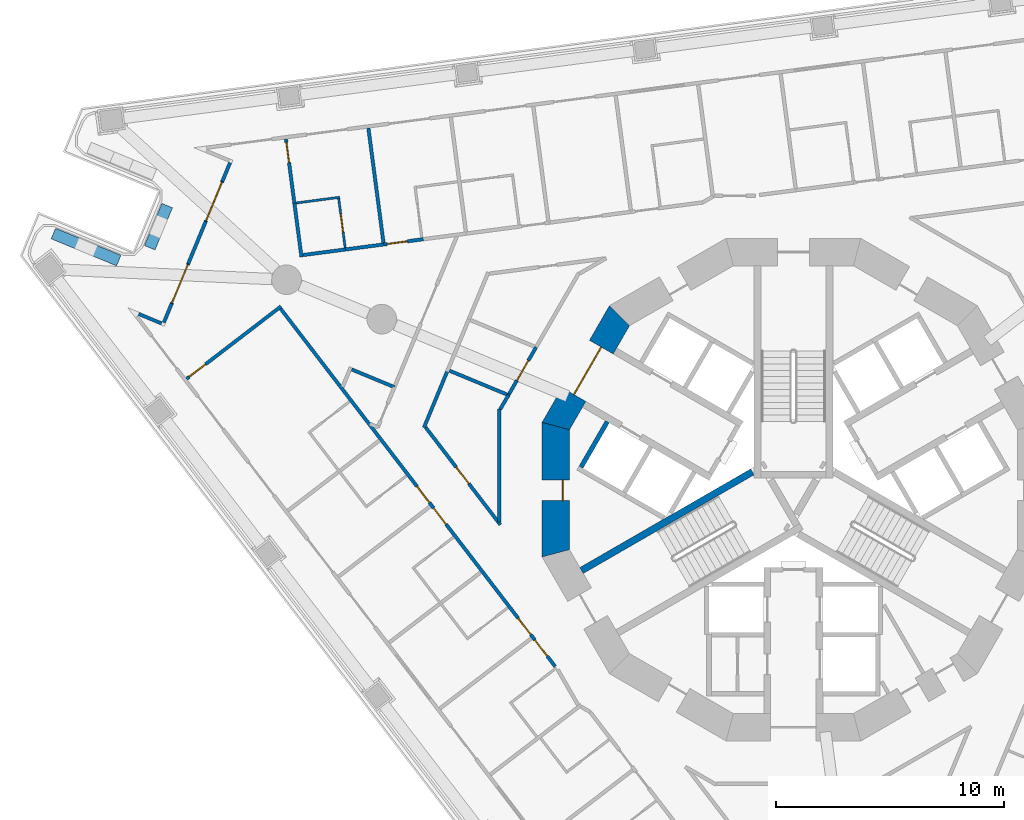
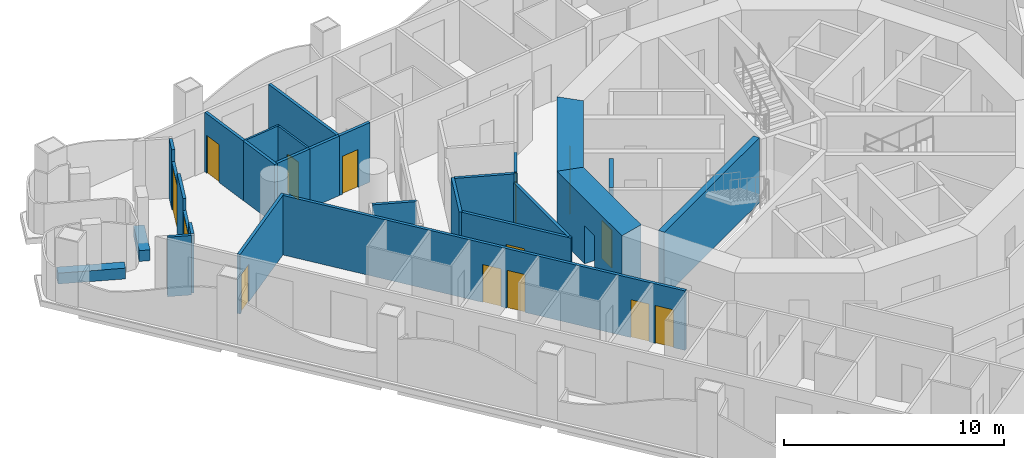
# One storey, part 6 of 19: 29 walls, 14 doors, 14 openings.
"""IFC4 building model written with IfcOpenShell, lengths in metres."""

from ifc_helpers import new_model, si_unit, direction, frame, frame_2d, origin, place, context, subcontext, project, spatial, polyline, rectangle, outline, extrude, material, layer, layer_set, type_object, element, fill, save


model = new_model("IFC4")

# Units and contexts
model_context = context("Model", 3, precision=1e-05, world=origin(), true_north=direction((0.0, 1.0)))
body_context = subcontext(model_context, "Body", "Model", "MODEL_VIEW")
ifc_project = project(units=[si_unit("LENGTHUNIT", "METRE"), si_unit("AREAUNIT", "SQUARE_METRE"), si_unit("VOLUMEUNIT", "CUBIC_METRE"), si_unit("PLANEANGLEUNIT", "RADIAN"), si_unit("MASSUNIT", "GRAM", prefix="KILO")], contexts=[model_context])

# Site, building, storey
site_placement = place(None, origin())
site = spatial("IfcSite", under=ifc_project, at=site_placement, CompositionType="ELEMENT")
building_placement = place(site_placement, origin())
building = spatial("IfcBuilding", under=site, at=building_placement, Name="Trine Commons Tower", CompositionType="ELEMENT")
storey_placement = place(building_placement, frame((0.0, 0.0, 57.60009765625)))
storey = spatial("IfcBuildingStorey", under=building, at=storey_placement, Name="L13", CompositionType="ELEMENT", Elevation=57.60009765625)

# Walls
ifc_material_1 = material(Name="Aluminium-framed insulated wall panel", Category="aluminium")
ifc_layer_1 = layer(ifc_material_1, 0.14990234375)
ifc_layer_set_1 = layer_set([ifc_layer_1], Name="Aluminium-framed insulated wall panel")
wall_type_1 = type_object("IfcWallType", Name="Glazed frame wall 150, EI 60", PredefinedType="SOLIDWALL", material=ifc_layer_set_1)
wall_1_placement = place(storey_placement, frame((51.175537109375, 70.256103515625, 0.0), z_axis=(0.0, 0.0, 1.0), x_axis=(0.923901801611, -0.382629665579, 0.0)))
element("IfcWall", 1, at=wall_1_placement, inside=storey, type_object=wall_type_1, Name="Glazed frame wall R1", PredefinedType="SOLIDWALL", context=body_context, shape_type="SweptSolid", body=[
    extrude(outline(polyline([(0.1494140625, 0.074951171875), (0.1494140625, -0.074951171875), (1.235107421875, -0.074951171875), (1.235107421875, 0.074951171875), (0.1494140625, 0.074951171875)])), origin(), (0.0, 0.0, 1.0), 3.2998046875),
])
wall_2_placement = place(storey_placement, frame((52.372314453125, 69.722412109375, 0.0), z_axis=(0.0, 0.0, 1.0), x_axis=(0.382603377961, 0.923912688068, 0.0)))
element("IfcWall", 2, at=wall_2_placement, inside=storey, type_object=wall_type_1, Name="Glazed frame wall P1.1", PredefinedType="SOLIDWALL", context=body_context, shape_type="SweptSolid", body=[
    extrude(outline(polyline([(0.110107421875, -0.074951171875), (1.0, -0.074951171875), (1.0, 0.074951171875), (0.110107421875, 0.074951171875), (0.110107421875, -0.074951171875)])), origin(), (0.0, 0.0, 1.0), 3.2998046875),
])

# Wall, opening, door
wall_3_placement = place(storey_placement, frame((52.7548828125, 70.646240234375, 0.0), z_axis=(0.0, 0.0, 1.0), x_axis=(0.382771661121, 0.923842982028, 0.0)))
wall_3 = element("IfcWall", 3, at=wall_3_placement, inside=storey, type_object=wall_type_1, Name="Glazed frame wall P1.2", PredefinedType="SOLIDWALL", context=body_context, shape_type="SweptSolid", body=[
    extrude(outline(polyline([(0.0, -0.074951171875), (1.89990234375, -0.074951171875), (1.89990234375, 0.074951171875), (0.0, 0.074951171875), (0.0, -0.074951171875)])), origin(), (0.0, 0.0, 1.0), 2.64990234375),
])
opening_1_placement = place(wall_3_placement, frame((0.050048828125, 0.0, 0.0)))
opening_1 = element("IfcOpeningElement", 4, at=opening_1_placement, cuts=wall_3, Name="Opening BD-2P1-01", PredefinedType="OPENING", context=body_context, shape_type="SweptSolid", body=[
    extrude(rectangle(XDim=1.800048828125, YDim=2.60009765625, at=frame_2d((0.89990234375, 1.300048828125))), frame((0.0, 0.0849609375, 0.0), z_axis=(0.0, -1.0, 0.0), x_axis=(1.0, 0.0, 0.0)), (0.0, 0.0, 1.0), 0.169921875),
])
ifc_material_2 = material(Name="Anodised aluminium frame with double glazing", Category="aluminium")
door_type_1 = type_object("IfcDoorType", Name="Sliding loggia door 1800x2600", OperationType="SLIDING_TO_LEFT", PredefinedType="DOOR", material=ifc_material_2)
door_1_placement = place(opening_1_placement, origin())
door_1 = element("IfcDoor", 5, at=door_1_placement, inside=storey, type_object=door_type_1, Name="Loggia door P1 1", OperationType="SLIDING_TO_LEFT", OverallHeight=2.60009765625, OverallWidth=1.800048828125, PredefinedType="DOOR", context=body_context, shape_type="SweptSolid", body=[
    extrude(rectangle(XDim=1.800048828125, YDim=2.60009765625, at=frame_2d((0.89990234375, 1.300048828125))), frame((0.0, 0.02490234375, 0.0), z_axis=(0.0, -1.0, 0.0), x_axis=(1.0, 0.0, 0.0)), (0.0, 0.0, 1.0), 0.050048828125),
])
fill(opening_1, door_1)

# Wall
wall_4_placement = place(storey_placement, frame((53.482177734375, 72.401611328125, 0.0), z_axis=(0.0, 0.0, 1.0), x_axis=(0.382664423091, 0.923887406181, 0.0)))
element("IfcWall", 6, at=wall_4_placement, inside=storey, type_object=wall_type_1, Name="Glazed frame wall P1.3", PredefinedType="SOLIDWALL", context=body_context, shape_type="SweptSolid", body=[
    extrude(outline(polyline([(0.0, -0.074951171875), (2.0, -0.074951171875), (2.0, 0.074951171875), (0.0, 0.074951171875), (0.0, -0.074951171875)])), origin(), (0.0, 0.0, 1.0), 3.2998046875),
])

# Wall, opening, door
wall_5_placement = place(storey_placement, frame((54.24755859375, 74.24951171875, 0.0), z_axis=(0.0, 0.0, 1.0), x_axis=(0.382661988648, 0.923888414498, 0.0)))
wall_5 = element("IfcWall", 7, at=wall_5_placement, inside=storey, type_object=wall_type_1, Name="Glazed frame wall P1.4", PredefinedType="SOLIDWALL", context=body_context, shape_type="SweptSolid", body=[
    extrude(outline(polyline([(0.0, -0.074951171875), (1.89990234375, -0.074951171875), (1.89990234375, 0.074951171875), (0.0, 0.074951171875), (0.0, -0.074951171875)])), origin(), (0.0, 0.0, 1.0), 2.64990234375),
])
opening_2_placement = place(wall_5_placement, frame((0.050048828125, 0.0, 0.0)))
opening_2 = element("IfcOpeningElement", 8, at=opening_2_placement, cuts=wall_5, Name="Opening BD-2P1-02", PredefinedType="OPENING", context=body_context, shape_type="SweptSolid", body=[
    extrude(rectangle(XDim=1.800048828125, YDim=2.60009765625, at=frame_2d((0.89990234375, 1.300048828125))), frame((0.0, 0.0849609375, 0.0), z_axis=(0.0, -1.0, 0.0), x_axis=(1.0, 0.0, 0.0)), (0.0, 0.0, 1.0), 0.169921875),
])
door_2_placement = place(opening_2_placement, origin())
door_2 = element("IfcDoor", 9, at=door_2_placement, inside=storey, type_object=door_type_1, Name="Loggia door P1 2", OperationType="SLIDING_TO_LEFT", OverallHeight=2.60009765625, OverallWidth=1.800048828125, PredefinedType="DOOR", context=body_context, shape_type="SweptSolid", body=[
    extrude(rectangle(XDim=1.800048828125, YDim=2.60009765625, at=frame_2d((0.89990234375, 1.300048828125))), frame((0.0, 0.02490234375, 0.0), z_axis=(0.0, -1.0, 0.0), x_axis=(1.0, 0.0, 0.0)), (0.0, 0.0, 1.0), 0.050048828125),
])
fill(opening_2, door_2)

# Walls
wall_6_placement = place(storey_placement, frame((54.974609375, 76.0048828125, 0.0), z_axis=(0.0, 0.0, 1.0), x_axis=(0.382811769845, 0.923826362943, 0.0)))
element("IfcWall", 10, at=wall_6_placement, inside=storey, type_object=wall_type_1, Name="Glazed frame wall P1.5", PredefinedType="SOLIDWALL", context=body_context, shape_type="SweptSolid", body=[
    extrude(outline(polyline([(0.889892578125, 0.074951171875), (0.0, 0.074951171875), (0.0, -0.074951171875), (0.889892578125, -0.074951171875), (0.889892578125, 0.074951171875)])), origin(), (0.0, 0.0, 1.0), 3.2998046875),
])
ifc_material_3 = material(Name="Planter trough, precast concrete C40/50", Category="concrete")
ifc_layer_2 = layer(ifc_material_3, 0.5)
ifc_layer_set_2 = layer_set([ifc_layer_2], Name="Planter trough, precast concrete C40/50")
wall_type_2 = type_object("IfcWallType", Name="Planter trough 500x600", PredefinedType="PARAPET", material=ifc_layer_set_2)
wall_7_placement = place(storey_placement, frame((47.5732421875, 73.723388671875, 0.0), z_axis=(0.0, 0.0, 1.0), x_axis=(0.923883411188, -0.382674068277, 0.0)))
element("IfcWall", 11, at=wall_7_placement, inside=storey, type_object=wall_type_2, Name="Planter 1", PredefinedType="PARAPET", context=body_context, shape_type="SweptSolid", body=[
    extrude(rectangle(XDim=3.099853515625, YDim=0.5, at=frame_2d((1.5498046875, 0.0))), origin(), (0.0, 0.0, 1.0), 0.599853515625),
])
wall_8_placement = place(storey_placement, frame((51.796142578125, 73.10009765625, 0.0), z_axis=(0.0, 0.0, 1.0), x_axis=(0.382603377961, 0.923912688068, 0.0)))
element("IfcWall", 12, at=wall_8_placement, inside=storey, type_object=wall_type_2, Name="Planter 2", PredefinedType="PARAPET", context=body_context, shape_type="SweptSolid", body=[
    extrude(rectangle(XDim=1.999755859375, YDim=0.5, at=frame_2d((1.0, 0.0))), origin(), (0.0, 0.0, 1.0), 0.599853515625),
])

# Wall, opening, door
ifc_material_4 = material(Name="Concrete C80/95", Category="concrete")
ifc_layer_3 = layer(ifc_material_4, 1.199951171875)
ifc_layer_set_3 = layer_set([ifc_layer_3], Name="Concrete C80/95")
wall_type_3 = type_object("IfcWallType", Name="RC shear wall 1200 mm, C80/95", PredefinedType="SHEAR", material=ifc_layer_set_3)
wall_9_placement = place(storey_placement, frame((72.45849609375, 70.260986328125, 0.0), z_axis=(0.0, 0.0, 1.0), x_axis=(-0.499979111662, -0.866037463336, 0.0)))
wall_9 = element("IfcWall", 13, at=wall_9_placement, inside=storey, type_object=wall_type_3, Name="Core wall CWB-06 L13", PredefinedType="SHEAR", context=body_context, shape_type="SweptSolid", body=[
    extrude(outline(polyline([(0.0, -0.60009765625), (5.901123046875, -0.60009765625), (5.57958984375, 0.60009765625), (0.321533203125, 0.60009765625), (0.0, -0.60009765625)])), origin(), (0.0, 0.0, 1.0), 3.599853515625),
])
opening_3_placement = place(wall_9_placement, frame((1.75048828125, 0.0, 0.0)))
opening_3 = element("IfcOpeningElement", 14, at=opening_3_placement, cuts=wall_9, Name="Opening K04.06", PredefinedType="OPENING", context=body_context, shape_type="SweptSolid", body=[
    extrude(rectangle(XDim=2.39990234375, YDim=2.10009765625, at=frame_2d((1.199951171875, 1.050048828125))), frame((0.0, 0.60986328125, 0.0), z_axis=(0.0, -1.0, 0.0), x_axis=(1.0, 0.0, 0.0)), (0.0, 0.0, 1.0), 1.219970703125),
])
ifc_material_5 = material(Name="Steel door leaves, fire-rated", Category="steel")
door_type_2 = type_object("IfcDoorType", Name="Lobby door, double leaf 2400 x 2100, FD60", OperationType="DOUBLE_DOOR_SINGLE_SWING", PredefinedType="DOOR", material=ifc_material_5)
door_3_placement = place(opening_3_placement, origin())
door_3 = element("IfcDoor", 15, at=door_3_placement, inside=storey, type_object=door_type_2, Name="Lobby door, Passenger lift lobby B L13", OperationType="DOUBLE_DOOR_SINGLE_SWING", OverallHeight=2.10009765625, OverallWidth=2.39990234375, PredefinedType="DOOR", context=body_context, shape_type="SweptSolid", body=[
    extrude(rectangle(XDim=2.39990234375, YDim=2.10009765625, at=frame_2d((1.199951171875, 1.050048828125))), frame((0.0, 0.02490234375, 0.0), z_axis=(0.0, -1.0, 0.0), x_axis=(1.0, 0.0, 0.0)), (0.0, 0.0, 1.0), 0.050048828125),
])
fill(opening_3, door_3)

wall_10_placement = place(storey_placement, frame((69.58837890625, 65.450439453125, 0.0), z_axis=(0.0, 0.0, 1.0), x_axis=(0.0, -1.0, 0.0)))
wall_10 = element("IfcWall", 16, at=wall_10_placement, inside=storey, type_object=wall_type_3, Name="Core wall CWB-07 L13", PredefinedType="SHEAR", context=body_context, shape_type="SweptSolid", body=[
    extrude(outline(polyline([(0.0, -0.60009765625), (5.90087890625, -0.60009765625), (5.57958984375, 0.60009765625), (0.321533203125, 0.60009765625), (0.0, -0.60009765625)])), origin(), (0.0, 0.0, 1.0), 3.599853515625),
])
opening_4_placement = place(wall_10_placement, frame((2.525390625, 0.0, 0.0)))
opening_4 = element("IfcOpeningElement", 17, at=opening_4_placement, cuts=wall_10, Name="Opening K04.14", PredefinedType="OPENING", context=body_context, shape_type="SweptSolid", body=[
    extrude(rectangle(XDim=0.89990234375, YDim=2.10009765625, at=frame_2d((0.449951171875, 1.050048828125))), frame((0.0, 0.60986328125, 0.0), z_axis=(0.0, -1.0, 0.0), x_axis=(1.0, 0.0, 0.0)), (0.0, 0.0, 1.0), 1.219970703125),
])
ifc_material_6 = material(Name="Steel door leaf, fire-rated", Category="steel")
door_type_3 = type_object("IfcDoorType", Name="Core room door, single leaf 900 x 2100, FD30S", OperationType="SINGLE_SWING_LEFT", PredefinedType="DOOR", material=ifc_material_6)
door_4_placement = place(opening_4_placement, origin())
door_4 = element("IfcDoor", 18, at=door_4_placement, inside=storey, type_object=door_type_3, Name="Door to Print room L13", OperationType="SINGLE_SWING_RIGHT", OverallHeight=2.10009765625, OverallWidth=0.89990234375, PredefinedType="DOOR", context=body_context, shape_type="SweptSolid", body=[
    extrude(rectangle(XDim=0.89990234375, YDim=2.10009765625, at=frame_2d((0.449951171875, 1.050048828125))), frame((0.0, 0.3251953125, 0.0), z_axis=(0.0, -1.0, 0.0), x_axis=(1.0, 0.0, 0.0)), (0.0, 0.0, 1.0), 0.050048828125),
])
fill(opening_4, door_4)

# Walls
ifc_layer_4 = layer(ifc_material_4, 0.300048828125)
ifc_layer_set_4 = layer_set([ifc_layer_4], Name="Concrete C80/95")
wall_type_4 = type_object("IfcWallType", Name="RC shear wall 300 mm, C80/95", PredefinedType="SHEAR", material=ifc_layer_set_4)
wall_11_placement = place(storey_placement, frame((78.199951171875, 63.280029296875, 0.0), z_axis=(0.0, 0.0, 1.0), x_axis=(-0.865965399159, -0.500103916661, 0.0)))
element("IfcWall", 19, at=wall_11_placement, inside=storey, type_object=wall_type_4, Name="Core cross wall SWA-07 L13", PredefinedType="SHEAR", context=body_context, shape_type="SweptSolid", body=[
    extrude(rectangle(XDim=8.642333984375, YDim=0.300048828125, at=frame_2d((4.3212890625, 0.0))), origin(), (0.0, 0.0, 1.0), 3.599853515625),
])
ifc_material_7 = material(Name="Fire-rated gypsum shaft wall system")
ifc_layer_5 = layer(ifc_material_7, 0.199951171875)
ifc_layer_set_5 = layer_set([ifc_layer_5], Name="Fire-rated gypsum shaft wall system")
wall_type_5 = type_object("IfcWallType", Name="Shaft wall 200 mm, EI 120", PredefinedType="PARTITIONING", material=ifc_layer_set_5)
wall_12_placement = place(storey_placement, frame((71.844970703125, 65.47607421875, 0.0), z_axis=(0.0, 0.0, 1.0), x_axis=(-0.500136062276, -0.86594683394, 0.0)))
element("IfcWall", 20, at=wall_12_placement, inside=storey, type_object=wall_type_5, Name="Shaft wall L13", PredefinedType="PARTITIONING", context=body_context, shape_type="SweptSolid", body=[
    extrude(rectangle(XDim=2.299072265625, YDim=0.199951171875, at=frame_2d((1.1494140625, 0.0))), origin(), (0.0, 0.0, 1.0), 3.2998046875),
])

# Wall, opening, door
ifc_material_8 = material(Name="Gypsum plasterboard on steel stud", Category="steel")
ifc_layer_6 = layer(ifc_material_8, 0.14990234375)
ifc_layer_set_6 = layer_set([ifc_layer_6], Name="Gypsum plasterboard on steel stud")
wall_type_6 = type_object("IfcWallType", Name="Unit and corridor wall 150 mm, EI 60", PredefinedType="PARTITIONING", material=ifc_layer_set_6)
wall_13_placement = place(storey_placement, frame((53.41162109375, 67.3583984375, 0.0), z_axis=(0.0, 0.0, 1.0), x_axis=(0.793382437727, 0.608723506616, 0.0)))
wall_13 = element("IfcWall", 21, at=wall_13_placement, inside=storey, type_object=wall_type_6, Name="Partition 001", PredefinedType="PARTITIONING", context=body_context, shape_type="SweptSolid", body=[
    extrude(rectangle(XDim=5.213134765625, YDim=0.14990234375, at=frame_2d((2.6064453125, 0.0))), origin(), (0.0, 0.0, 1.0), 3.2998046875),
])
opening_5_placement = place(wall_13_placement, frame((0.14990234375, 0.0, 0.0)))
opening_5 = element("IfcOpeningElement", 22, at=opening_5_placement, cuts=wall_13, Name="Opening D-2A35", PredefinedType="OPENING", context=body_context, shape_type="SweptSolid", body=[
    extrude(rectangle(XDim=0.89990234375, YDim=2.10009765625, at=frame_2d((0.449951171875, 1.050048828125))), frame((0.0, 0.0849609375, 0.0), z_axis=(0.0, -1.0, 0.0), x_axis=(1.0, 0.0, 0.0)), (0.0, 0.0, 1.0), 0.169921875),
])
ifc_material_9 = material(Name="Timber fire door set", Category="wood")
door_type_4 = type_object("IfcDoorType", Name="Bedroom door 900 x 2100, FD30S", OperationType="NOTDEFINED", PredefinedType="DOOR", material=ifc_material_9)
door_5_placement = place(opening_5_placement, frame((0.89990234375, 0.0, 0.0), z_axis=(0.0, 0.0, 1.0), x_axis=(-1.0, 0.0, 0.0)))
door_5 = element("IfcDoor", 23, at=door_5_placement, inside=storey, type_object=door_type_4, Name="Door D-2A35", OperationType="SINGLE_SWING_RIGHT", OverallHeight=2.10009765625, OverallWidth=0.89990234375, PredefinedType="DOOR", context=body_context, shape_type="SweptSolid", body=[
    extrude(rectangle(XDim=0.89990234375, YDim=2.10009765625, at=frame_2d((0.449951171875, 1.050048828125))), frame((0.0, 0.02490234375, 0.0), z_axis=(0.0, -1.0, 0.0), x_axis=(1.0, 0.0, 0.0)), (0.0, 0.0, 1.0), 0.050048828125),
])
fill(opening_5, door_5)

# Wall, openings, doors
wall_14_placement = place(storey_placement, frame((57.53369140625, 70.426513671875, 0.0), z_axis=(0.0, 0.0, 1.0), x_axis=(0.608794371867, -0.793328061261, 0.0)))
wall_14 = element("IfcWall", 24, at=wall_14_placement, inside=storey, type_object=wall_type_6, Name="Partition 002", PredefinedType="PARTITIONING", context=body_context, shape_type="SweptSolid", body=[
    extrude(rectangle(XDim=19.75927734375, YDim=0.14990234375, at=frame_2d((9.879638671875, 0.0))), origin(), (0.0, 0.0, 1.0), 3.2998046875),
])
opening_6_placement = place(wall_14_placement, frame((18.293212890625, 0.0, 0.0)))
opening_6 = element("IfcOpeningElement", 25, at=opening_6_placement, cuts=wall_14, Name="Opening D-2A31", PredefinedType="OPENING", context=body_context, shape_type="SweptSolid", body=[
    extrude(rectangle(XDim=0.89990234375, YDim=2.10009765625, at=frame_2d((0.449951171875, 1.050048828125))), frame((0.0, 0.0849609375, 0.0), z_axis=(0.0, -1.0, 0.0), x_axis=(1.0, 0.0, 0.0)), (0.0, 0.0, 1.0), 0.169921875),
])
opening_7_placement = place(wall_14_placement, frame((17.093017578125, 0.0, 0.0)))
opening_7 = element("IfcOpeningElement", 26, at=opening_7_placement, cuts=wall_14, Name="Opening D-2A32", PredefinedType="OPENING", context=body_context, shape_type="SweptSolid", body=[
    extrude(rectangle(XDim=0.89990234375, YDim=2.10009765625, at=frame_2d((0.449951171875, 1.050048828125))), frame((0.0, 0.0849609375, 0.0), z_axis=(0.0, -1.0, 0.0), x_axis=(1.0, 0.0, 0.0)), (0.0, 0.0, 1.0), 0.169921875),
])
opening_8_placement = place(wall_14_placement, frame((11.00634765625, 0.0, 0.0)))
opening_8 = element("IfcOpeningElement", 27, at=opening_8_placement, cuts=wall_14, Name="Opening D-2A33", PredefinedType="OPENING", context=body_context, shape_type="SweptSolid", body=[
    extrude(rectangle(XDim=0.89990234375, YDim=2.10009765625, at=frame_2d((0.449951171875, 1.050048828125))), frame((0.0, 0.0849609375, 0.0), z_axis=(0.0, -1.0, 0.0), x_axis=(1.0, 0.0, 0.0)), (0.0, 0.0, 1.0), 0.169921875),
])
opening_9_placement = place(wall_14_placement, frame((9.806396484375, 0.0, 0.0)))
opening_9 = element("IfcOpeningElement", 28, at=opening_9_placement, cuts=wall_14, Name="Opening D-2A34", PredefinedType="OPENING", context=body_context, shape_type="SweptSolid", body=[
    extrude(rectangle(XDim=0.89990234375, YDim=2.10009765625, at=frame_2d((0.449951171875, 1.050048828125))), frame((0.0, 0.0849609375, 0.0), z_axis=(0.0, -1.0, 0.0), x_axis=(1.0, 0.0, 0.0)), (0.0, 0.0, 1.0), 0.169921875),
])
door_6_placement = place(opening_6_placement, frame((0.89990234375, 0.0, 0.0), z_axis=(0.0, 0.0, 1.0), x_axis=(-1.0, 0.0, 0.0)))
door_6 = element("IfcDoor", 29, at=door_6_placement, inside=storey, type_object=door_type_4, Name="Door D-2A31", OperationType="SINGLE_SWING_LEFT", OverallHeight=2.10009765625, OverallWidth=0.89990234375, PredefinedType="DOOR", context=body_context, shape_type="SweptSolid", body=[
    extrude(rectangle(XDim=0.89990234375, YDim=2.10009765625, at=frame_2d((0.449951171875, 1.050048828125))), frame((0.0, 0.02490234375, 0.0), z_axis=(0.0, -1.0, 0.0), x_axis=(1.0, 0.0, 0.0)), (0.0, 0.0, 1.0), 0.050048828125),
])
fill(opening_6, door_6)
door_7_placement = place(opening_7_placement, frame((0.89990234375, 0.0, 0.0), z_axis=(0.0, 0.0, 1.0), x_axis=(-1.0, 0.0, 0.0)))
door_7 = element("IfcDoor", 30, at=door_7_placement, inside=storey, type_object=door_type_4, Name="Door D-2A32", OperationType="SINGLE_SWING_LEFT", OverallHeight=2.10009765625, OverallWidth=0.89990234375, PredefinedType="DOOR", context=body_context, shape_type="SweptSolid", body=[
    extrude(rectangle(XDim=0.89990234375, YDim=2.10009765625, at=frame_2d((0.449951171875, 1.050048828125))), frame((0.0, 0.02490234375, 0.0), z_axis=(0.0, -1.0, 0.0), x_axis=(1.0, 0.0, 0.0)), (0.0, 0.0, 1.0), 0.050048828125),
])
fill(opening_7, door_7)
door_8_placement = place(opening_8_placement, frame((0.89990234375, 0.0, 0.0), z_axis=(0.0, 0.0, 1.0), x_axis=(-1.0, 0.0, 0.0)))
door_8 = element("IfcDoor", 31, at=door_8_placement, inside=storey, type_object=door_type_4, Name="Door D-2A33", OperationType="SINGLE_SWING_LEFT", OverallHeight=2.10009765625, OverallWidth=0.89990234375, PredefinedType="DOOR", context=body_context, shape_type="SweptSolid", body=[
    extrude(rectangle(XDim=0.89990234375, YDim=2.10009765625, at=frame_2d((0.449951171875, 1.050048828125))), frame((0.0, 0.02490234375, 0.0), z_axis=(0.0, -1.0, 0.0), x_axis=(1.0, 0.0, 0.0)), (0.0, 0.0, 1.0), 0.050048828125),
])
fill(opening_8, door_8)
door_9_placement = place(opening_9_placement, frame((0.89990234375, 0.0, 0.0), z_axis=(0.0, 0.0, 1.0), x_axis=(-1.0, 0.0, 0.0)))
door_9 = element("IfcDoor", 32, at=door_9_placement, inside=storey, type_object=door_type_4, Name="Door D-2A34", OperationType="SINGLE_SWING_LEFT", OverallHeight=2.10009765625, OverallWidth=0.89990234375, PredefinedType="DOOR", context=body_context, shape_type="SweptSolid", body=[
    extrude(rectangle(XDim=0.89990234375, YDim=2.10009765625, at=frame_2d((0.449951171875, 1.050048828125))), frame((0.0, 0.02490234375, 0.0), z_axis=(0.0, -1.0, 0.0), x_axis=(1.0, 0.0, 0.0)), (0.0, 0.0, 1.0), 0.050048828125),
])
fill(opening_9, door_9)

# Wall, opening, door
wall_15_placement = place(storey_placement, frame((57.76416015625, 77.8662109375, 0.0), z_axis=(0.0, 0.0, 1.0), x_axis=(0.130439234834, -0.991456305651, 0.0)))
wall_15 = element("IfcWall", 33, at=wall_15_placement, inside=storey, type_object=wall_type_6, Name="Partition 003", PredefinedType="PARTITIONING", context=body_context, shape_type="SweptSolid", body=[
    extrude(rectangle(XDim=2.8935546875, YDim=0.14990234375, at=frame_2d((1.44677734375, 0.0))), origin(), (0.0, 0.0, 1.0), 3.2998046875),
])
opening_10_placement = place(wall_15_placement, frame((0.14990234375, 0.0, 0.0)))
opening_10 = element("IfcOpeningElement", 34, at=opening_10_placement, cuts=wall_15, Name="Opening D-2A07", PredefinedType="OPENING", context=body_context, shape_type="SweptSolid", body=[
    extrude(rectangle(XDim=0.89990234375, YDim=2.10009765625, at=frame_2d((0.449951171875, 1.050048828125))), frame((0.0, 0.0849609375, 0.0), z_axis=(0.0, -1.0, 0.0), x_axis=(1.0, 0.0, 0.0)), (0.0, 0.0, 1.0), 0.169921875),
])
door_10_placement = place(opening_10_placement, origin())
door_10 = element("IfcDoor", 35, at=door_10_placement, inside=storey, type_object=door_type_4, Name="Door D-2A07", OperationType="SINGLE_SWING_LEFT", OverallHeight=2.10009765625, OverallWidth=0.89990234375, PredefinedType="DOOR", context=body_context, shape_type="SweptSolid", body=[
    extrude(rectangle(XDim=0.89990234375, YDim=2.10009765625, at=frame_2d((0.449951171875, 1.050048828125))), frame((0.0, 0.02490234375, 0.0), z_axis=(0.0, -1.0, 0.0), x_axis=(1.0, 0.0, 0.0)), (0.0, 0.0, 1.0), 0.050048828125),
])
fill(opening_10, door_10)

# Walls
wall_16_placement = place(storey_placement, frame((58.134033203125, 75.054931640625, 0.0), z_axis=(0.0, 0.0, 1.0), x_axis=(0.130650971648, -0.991428425862, 0.0)))
element("IfcWall", 36, at=wall_16_placement, inside=storey, type_object=wall_type_6, Name="Partition 005", PredefinedType="PARTITIONING", context=body_context, shape_type="SweptSolid", body=[
    extrude(rectangle(XDim=2.37890625, YDim=0.14990234375, at=frame_2d((1.189453125, 0.0))), origin(), (0.0, 0.0, 1.0), 3.2998046875),
])
wall_17_placement = place(storey_placement, frame((58.509521484375, 72.78076171875, 0.0), z_axis=(0.0, 0.0, 1.0), x_axis=(0.991460041982, 0.130410832196, 0.0)))
element("IfcWall", 37, at=wall_17_placement, inside=storey, type_object=wall_type_6, Name="Partition 007", PredefinedType="PARTITIONING", context=body_context, shape_type="SweptSolid", body=[
    extrude(rectangle(XDim=1.879638671875, YDim=0.14990234375, at=frame_2d((0.93994140625, 0.0))), origin(), (0.0, 0.0, 1.0), 3.2998046875),
])
wall_18_placement = place(storey_placement, frame((60.364990234375, 73.02490234375, 0.0), z_axis=(0.0, 0.0, 1.0), x_axis=(0.991474842511, 0.130298260417, 0.0)))
element("IfcWall", 38, at=wall_18_placement, inside=storey, type_object=wall_type_6, Name="Partition 014", PredefinedType="PARTITIONING", context=body_context, shape_type="SweptSolid", body=[
    extrude(rectangle(XDim=1.697509765625, YDim=0.14990234375, at=frame_2d((0.8486328125, 0.0))), origin(), (0.0, 0.0, 1.0), 3.2998046875),
])
wall_19_placement = place(storey_placement, frame((60.645263671875, 67.768310546875, 0.0), z_axis=(0.0, 0.0, 1.0), x_axis=(0.923799320148, -0.382877024767, 0.0)))
element("IfcWall", 39, at=wall_19_placement, inside=storey, type_object=wall_type_6, Name="Partition 015", PredefinedType="PARTITIONING", context=body_context, shape_type="SweptSolid", body=[
    extrude(rectangle(XDim=2.025146484375, YDim=0.14990234375, at=frame_2d((1.0126953125, 0.0))), origin(), (0.0, 0.0, 1.0), 3.2998046875),
])
wall_20_placement = place(storey_placement, frame((61.377197265625, 78.34130859375, 0.0), z_axis=(0.0, 0.0, 1.0), x_axis=(0.130499406053, -0.991448387471, 0.0)))
element("IfcWall", 40, at=wall_20_placement, inside=storey, type_object=wall_type_6, Name="Partition 017", PredefinedType="PARTITIONING", context=body_context, shape_type="SweptSolid", body=[
    extrude(rectangle(XDim=5.064208984375, YDim=0.14990234375, at=frame_2d((2.5322265625, 0.0))), origin(), (0.0, 0.0, 1.0), 3.2998046875),
])

# Wall, opening, door
wall_21_placement = place(storey_placement, frame((62.048095703125, 73.24609375, 0.0), z_axis=(0.0, 0.0, 1.0), x_axis=(0.991412396829, 0.130772548398, 0.0)))
wall_21 = element("IfcWall", 41, at=wall_21_placement, inside=storey, type_object=wall_type_6, Name="Partition 020", PredefinedType="PARTITIONING", context=body_context, shape_type="SweptSolid", body=[
    extrude(rectangle(XDim=1.747314453125, YDim=0.14990234375, at=frame_2d((0.87353515625, 0.0))), origin(), (0.0, 0.0, 1.0), 3.2998046875),
])
opening_11_placement = place(wall_21_placement, frame((0.14990234375, 0.0, 0.0)))
opening_11 = element("IfcOpeningElement", 42, at=opening_11_placement, cuts=wall_21, Name="Opening D-2A08", PredefinedType="OPENING", context=body_context, shape_type="SweptSolid", body=[
    extrude(rectangle(XDim=0.89990234375, YDim=2.10009765625, at=frame_2d((0.449951171875, 1.050048828125))), frame((0.0, 0.0849609375, 0.0), z_axis=(0.0, -1.0, 0.0), x_axis=(1.0, 0.0, 0.0)), (0.0, 0.0, 1.0), 0.169921875),
])
door_11_placement = place(opening_11_placement, origin())
door_11 = element("IfcDoor", 43, at=door_11_placement, inside=storey, type_object=door_type_4, Name="Door D-2A08", OperationType="SINGLE_SWING_LEFT", OverallHeight=2.10009765625, OverallWidth=0.89990234375, PredefinedType="DOOR", context=body_context, shape_type="SweptSolid", body=[
    extrude(rectangle(XDim=0.89990234375, YDim=2.10009765625, at=frame_2d((0.449951171875, 1.050048828125))), frame((0.0, 0.02490234375, 0.0), z_axis=(0.0, -1.0, 0.0), x_axis=(1.0, 0.0, 0.0)), (0.0, 0.0, 1.0), 0.050048828125),
])
fill(opening_11, door_11)

# Wall
wall_22_placement = place(storey_placement, frame((63.811279296875, 65.2197265625, 0.0), z_axis=(0.0, 0.0, 1.0), x_axis=(0.382485754441, 0.923961388614, 0.0)))
element("IfcWall", 44, at=wall_22_placement, inside=storey, type_object=wall_type_6, Name="Partition 028", PredefinedType="PARTITIONING", context=body_context, shape_type="SweptSolid", body=[
    extrude(rectangle(XDim=2.736328125, YDim=0.14990234375, at=frame_2d((1.3681640625, 0.0))), origin(), (0.0, 0.0, 1.0), 3.2998046875),
])

# Wall, opening, door
wall_23_placement = place(storey_placement, frame((63.8857421875, 65.2294921875, 0.0), z_axis=(0.0, 0.0, 1.0), x_axis=(0.608696503356, -0.793403155276, 0.0)))
wall_23 = element("IfcWall", 45, at=wall_23_placement, inside=storey, type_object=wall_type_6, Name="Partition 029", PredefinedType="PARTITIONING", context=body_context, shape_type="SweptSolid", body=[
    extrude(rectangle(XDim=5.376953125, YDim=0.14990234375, at=frame_2d((2.6884765625, 0.0))), origin(), (0.0, 0.0, 1.0), 3.2998046875),
])
opening_12_placement = place(wall_23_placement, frame((2.200927734375, 0.0, 0.0)))
opening_12 = element("IfcOpeningElement", 46, at=opening_12_placement, cuts=wall_23, Name="Opening D-2A38", PredefinedType="OPENING", context=body_context, shape_type="SweptSolid", body=[
    extrude(rectangle(XDim=0.89990234375, YDim=2.10009765625, at=frame_2d((0.449951171875, 1.050048828125))), frame((0.0, 0.0849609375, 0.0), z_axis=(0.0, -1.0, 0.0), x_axis=(1.0, 0.0, 0.0)), (0.0, 0.0, 1.0), 0.169921875),
])
door_type_5 = type_object("IfcDoorType", Name="Service door 900 x 2100, FD30S", OperationType="NOTDEFINED", PredefinedType="DOOR", material=ifc_material_9)
door_12_placement = place(opening_12_placement, origin())
door_12 = element("IfcDoor", 47, at=door_12_placement, inside=storey, type_object=door_type_5, Name="Door D-2A38", OperationType="SINGLE_SWING_LEFT", OverallHeight=2.10009765625, OverallWidth=0.89990234375, PredefinedType="DOOR", context=body_context, shape_type="SweptSolid", body=[
    extrude(rectangle(XDim=0.89990234375, YDim=2.10009765625, at=frame_2d((0.449951171875, 1.050048828125))), frame((0.0, 0.02490234375, 0.0), z_axis=(0.0, -1.0, 0.0), x_axis=(1.0, 0.0, 0.0)), (0.0, 0.0, 1.0), 0.050048828125),
])
fill(opening_12, door_12)

# Walls
wall_24_placement = place(storey_placement, frame((64.92626953125, 67.71533203125, 0.0), z_axis=(0.0, 0.0, 1.0), x_axis=(0.923886418472, -0.382666807761, 0.0)))
element("IfcWall", 48, at=wall_24_placement, inside=storey, type_object=wall_type_6, Name="Partition 034", PredefinedType="PARTITIONING", context=body_context, shape_type="SweptSolid", body=[
    extrude(rectangle(XDim=2.874755859375, YDim=0.14990234375, at=frame_2d((1.4375, 0.0))), origin(), (0.0, 0.0, 1.0), 3.2998046875),
])
wall_25_placement = place(storey_placement, frame((67.113037109375, 61.093994140625, 0.0), z_axis=(0.0, 0.0, 1.0), x_axis=(0.0, 1.0, 0.0)))
element("IfcWall", 49, at=wall_25_placement, inside=storey, type_object=wall_type_6, Name="Partition 043", PredefinedType="PARTITIONING", context=body_context, shape_type="SweptSolid", body=[
    extrude(rectangle(XDim=4.93408203125, YDim=0.14990234375, at=frame_2d((2.467041015625, 0.0))), origin(), (0.0, 0.0, 1.0), 3.2998046875),
])
wall_26_placement = place(storey_placement, frame((67.150390625, 66.01806640625, 0.0), z_axis=(0.0, 0.0, 1.0), x_axis=(0.499858068882, 0.866107332248, 0.0)))
element("IfcWall", 50, at=wall_26_placement, inside=storey, type_object=wall_type_6, Name="Partition 044", PredefinedType="PARTITIONING", context=body_context, shape_type="SweptSolid", body=[
    extrude(rectangle(XDim=0.727294921875, YDim=0.14990234375, at=frame_2d((0.36376953125, 0.0))), origin(), (0.0, 0.0, 1.0), 3.2998046875),
])

# Wall, opening, door
wall_27_placement = place(storey_placement, frame((67.547607421875, 66.704833984375, 0.0), z_axis=(0.0, 0.0, 1.0), x_axis=(0.500075472253, 0.865981825474, 0.0)))
wall_27 = element("IfcWall", 51, at=wall_27_placement, inside=storey, type_object=wall_type_6, Name="Partition 045", PredefinedType="PARTITIONING", context=body_context, shape_type="SweptSolid", body=[
    extrude(rectangle(XDim=2.354736328125, YDim=0.14990234375, at=frame_2d((1.17724609375, 0.0))), origin(), (0.0, 0.0, 1.0), 2.75),
])
opening_13_placement = place(wall_27_placement, frame((0.675537109375, 0.0, 0.0)))
opening_13 = element("IfcOpeningElement", 52, at=opening_13_placement, cuts=wall_27, Name="Opening D-2A40", PredefinedType="OPENING", context=body_context, shape_type="SweptSolid", body=[
    extrude(rectangle(XDim=1.0, YDim=2.10009765625, at=frame_2d((0.5, 1.050048828125))), frame((0.0, 0.0849609375, 0.0), z_axis=(0.0, -1.0, 0.0), x_axis=(1.0, 0.0, 0.0)), (0.0, 0.0, 1.0), 0.169921875),
])
ifc_material_10 = material(Name="Painted timber", Category="wood")
door_type_6 = type_object("IfcDoorType", Name="Toilet door 1000 x 2100, NOT RATED", OperationType="NOTDEFINED", PredefinedType="DOOR", material=ifc_material_10)
door_13_placement = place(opening_13_placement, origin())
door_13 = element("IfcDoor", 53, at=door_13_placement, inside=storey, type_object=door_type_6, Name="Door D-2A40", OperationType="SINGLE_SWING_LEFT", OverallHeight=2.10009765625, OverallWidth=1.0, PredefinedType="DOOR", context=body_context, shape_type="SweptSolid", body=[
    extrude(rectangle(XDim=1.0, YDim=2.10009765625, at=frame_2d((0.5, 1.050048828125))), frame((0.0, 0.02490234375, 0.0), z_axis=(0.0, -1.0, 0.0), x_axis=(1.0, 0.0, 0.0)), (0.0, 0.0, 1.0), 0.050048828125),
])
fill(opening_13, door_13)

# Wall
ifc_layer_7 = layer(ifc_material_8, 0.10009765625)
ifc_layer_set_7 = layer_set([ifc_layer_7], Name="Gypsum plasterboard on steel stud")
wall_type_7 = type_object("IfcWallType", Name="Unit partition 100 mm, no rating", PredefinedType="PARTITIONING", material=ifc_layer_set_7)
wall_28_placement = place(storey_placement, frame((58.20947265625, 75.060791015625, 0.0), z_axis=(0.0, 0.0, 1.0), x_axis=(0.991420604101, 0.130710312382, 0.0)))
element("IfcWall", 54, at=wall_28_placement, inside=storey, type_object=wall_type_7, Name="Partition 006", PredefinedType="PARTITIONING", context=body_context, shape_type="SweptSolid", body=[
    extrude(rectangle(XDim=1.92578125, YDim=0.10009765625, at=frame_2d((0.962890625, 0.0))), origin(), (0.0, 0.0, 1.0), 3.2998046875),
])

# Wall, opening, door
wall_29_placement = place(storey_placement, frame((60.075439453125, 75.25634765625, 0.0), z_axis=(0.0, 0.0, 1.0), x_axis=(0.13039935739, -0.991461551242, 0.0)))
wall_29 = element("IfcWall", 55, at=wall_29_placement, inside=storey, type_object=wall_type_7, Name="Partition 011", PredefinedType="PARTITIONING", context=body_context, shape_type="SweptSolid", body=[
    extrude(rectangle(XDim=2.175537109375, YDim=0.10009765625, at=frame_2d((1.087890625, 0.0))), origin(), (0.0, 0.0, 1.0), 3.2998046875),
])
opening_14_placement = place(wall_29_placement, frame((0.687744140625, 0.0, 0.0)))
opening_14 = element("IfcOpeningElement", 56, at=opening_14_placement, cuts=wall_29, Name="Opening D-2A41", PredefinedType="OPENING", context=body_context, shape_type="SweptSolid", body=[
    extrude(rectangle(XDim=0.800048828125, YDim=2.10009765625, at=frame_2d((0.39990234375, 1.050048828125))), frame((0.0, 0.06005859375, 0.0), z_axis=(0.0, -1.0, 0.0), x_axis=(1.0, 0.0, 0.0)), (0.0, 0.0, 1.0), 0.1201171875),
])
door_type_7 = type_object("IfcDoorType", Name="Internal door 800 x 2100, NOT RATED", OperationType="NOTDEFINED", PredefinedType="DOOR", material=ifc_material_10)
door_14_placement = place(opening_14_placement, origin())
door_14 = element("IfcDoor", 57, at=door_14_placement, inside=storey, type_object=door_type_7, Name="Door D-2A41", OperationType="SINGLE_SWING_LEFT", OverallHeight=2.10009765625, OverallWidth=0.800048828125, PredefinedType="DOOR", context=body_context, shape_type="SweptSolid", body=[
    extrude(rectangle(XDim=0.800048828125, YDim=2.10009765625, at=frame_2d((0.39990234375, 1.050048828125))), frame((0.0, 0.02490234375, 0.0), z_axis=(0.0, -1.0, 0.0), x_axis=(1.0, 0.0, 0.0)), (0.0, 0.0, 1.0), 0.050048828125),
])
fill(opening_14, door_14)

save(model, "model.ifc")
